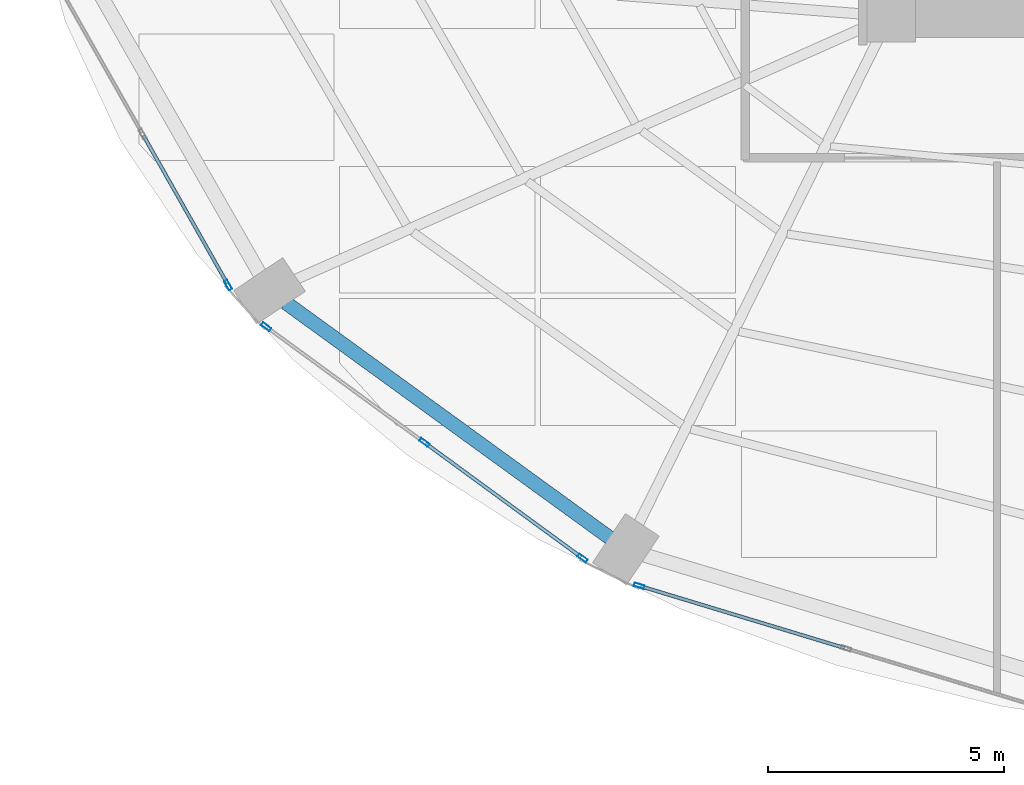
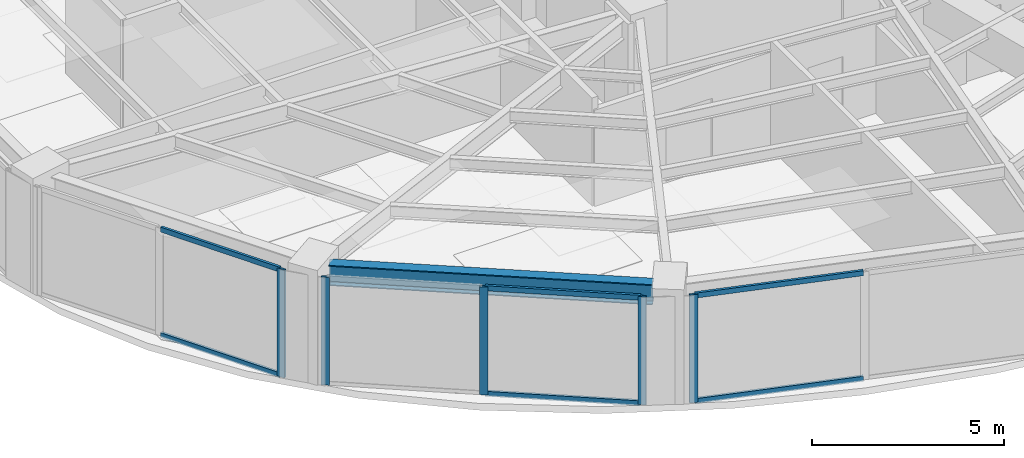
# One storey, part 2 of 24: 11 members, 1 beam, 3 elements without a shape of their own.
"""IFC4 building model written with IfcOpenShell, lengths in metres."""

import ifcopenshell
import ifcopenshell.guid

model = None  # the IFC model being written
_history = None  # IfcOwnerHistory: only IFC2X3 demands one
_inside = {}  # id of a spatial element -> (the spatial element, [elements in it])
_under = {}  # id of a project, library or spatial element -> (it, [spatial elements below it])
_declared = {}  # id of a project -> (the project, [libraries it declares])
_typed = {}  # id of a type object -> (the type object, [elements of that type])
_made_of = {}  # id of a material, layer set ... -> (it, [elements and type objects made of it])


def new_model(schema):
    """Start an empty IFC model of exactly this schema.

    Asked for "IFC4X3", IfcOpenShell would pick the latest addendum, in which some entities
    have other attributes; the version numbers below select the first issue.
    IFC2X3 requires an IfcOwnerHistory on every rooted entity: one is made here for all.
    """
    global model, _history
    if schema == "IFC4X3":
        model = ifcopenshell.file(schema_version=(4, 3, 0, 0))
    else:
        model = ifcopenshell.file(schema=schema)
    _inside.clear()
    _under.clear()
    _declared.clear()
    _typed.clear()
    _made_of.clear()
    _history = None
    if model.schema == "IFC2X3":
        org = make("IfcOrganization", Name="unknown")
        user = make(
            "IfcPersonAndOrganization",
            ThePerson=make("IfcPerson", FamilyName="unknown"),
            TheOrganization=org,
        )
        app = make(
            "IfcApplication",
            ApplicationDeveloper=org,
            Version="unknown",
            ApplicationFullName="unknown",
            ApplicationIdentifier="unknown",
        )
        _history = make(
            "IfcOwnerHistory",
            OwningUser=user,
            OwningApplication=app,
            ChangeAction="ADDED",
            CreationDate=0,
        )
    return model


def make(cls, **values):
    """One entity of the class cls with the attributes given. An attribute that is None is left unset."""
    return model.create_entity(
        cls, **{name: value for name, value in values.items() if value is not None}
    )


def rooted(cls, **values):
    """An entity with a GlobalId (a new one), such as an element, a storey or a relation."""
    return make(cls, GlobalId=ifcopenshell.guid.new(), OwnerHistory=_history, **values)


def si_unit(unit_type, name, prefix=None):
    """IfcSIUnit, for example si_unit("LENGTHUNIT", "METRE", prefix="MILLI")."""
    return make("IfcSIUnit", UnitType=unit_type, Prefix=prefix, Name=name)


def assignment(units):
    """IfcUnitAssignment: the units of a project."""
    return None if units is None else make("IfcUnitAssignment", Units=units)


def point(xyz):
    """IfcCartesianPoint."""
    return None if xyz is None else make("IfcCartesianPoint", Coordinates=xyz)


def direction(xyz):
    """IfcDirection."""
    return None if xyz is None else make("IfcDirection", DirectionRatios=xyz)


def frame(location, z_axis=None, x_axis=None):
    """IfcAxis2Placement3D, a coordinate frame: its origin and axes. An axis left out is left unset."""
    return make(
        "IfcAxis2Placement3D",
        Location=point(location),
        Axis=direction(z_axis),
        RefDirection=direction(x_axis),
    )


def frame_2d(location, x_axis=None):
    """IfcAxis2Placement2D, a coordinate frame in the plane: its origin and x axis."""
    return make(
        "IfcAxis2Placement2D", Location=point(location), RefDirection=direction(x_axis)
    )


def origin():
    """The frame at (0, 0, 0) with its axes left unset."""
    return frame((0.0, 0.0, 0.0))


def origin_2d():
    """The frame at (0, 0) in the plane with its x axis left unset."""
    return frame_2d((0.0, 0.0))


def place(relative_to, where):
    """IfcLocalPlacement: puts the frame where relative to a parent placement (None: the world)."""
    return make(
        "IfcLocalPlacement", PlacementRelTo=relative_to, RelativePlacement=where
    )


def context(
    kind, dimensions, precision=None, world=None, true_north=None, identifier=None
):
    """IfcGeometricRepresentationContext, for example the 3D "Model" context."""
    return make(
        "IfcGeometricRepresentationContext",
        ContextIdentifier=identifier,
        ContextType=kind,
        CoordinateSpaceDimension=dimensions,
        Precision=precision,
        WorldCoordinateSystem=world,
        TrueNorth=true_north,
    )


def subcontext(parent, identifier, kind, view, scale=None):
    """IfcGeometricRepresentationSubContext, for example "Body" below "Model"."""
    return make(
        "IfcGeometricRepresentationSubContext",
        ContextIdentifier=identifier,
        ContextType=kind,
        ParentContext=parent,
        TargetScale=scale,
        TargetView=view,
    )


def project(units=None, contexts=None):
    """IfcProject with its units and contexts."""
    return rooted(
        "IfcProject",
        Name="project",
        RepresentationContexts=contexts,
        UnitsInContext=assignment(units),
    )


def spatial(cls, under=None, at=None, **own):
    """A site, building, storey or space (cls), placed at a placement, below another one or the project."""
    s = rooted(cls, ObjectPlacement=at, **own)
    if under is not None:
        _under.setdefault(under.id(), (under, []))[1].append(s)
    return s


def profile(cls, at=None, kind="AREA", **sizes):
    """A parametric profile (cls). Its sizes go by their IFC names, for example OverallWidth=200.0."""
    return make(cls, ProfileType=kind, Position=at, **sizes)


def hollow_rectangle(**sizes):
    """IfcRectangleHollowProfileDef."""
    return profile("IfcRectangleHollowProfileDef", **sizes)


def i_section(**sizes):
    """IfcIShapeProfileDef."""
    return profile("IfcIShapeProfileDef", **sizes)


def extrude(swept, where, along, depth):
    """IfcExtrudedAreaSolid: the profile swept, set in the frame where, extruded along a direction by depth."""
    return make(
        "IfcExtrudedAreaSolid",
        SweptArea=swept,
        Position=where,
        ExtrudedDirection=direction(along),
        Depth=depth,
    )


def shape(context_of_items, identifier, shape_type, items):
    """IfcShapeRepresentation: the items that make up one representation, for example the "Body"."""
    return make(
        "IfcShapeRepresentation",
        ContextOfItems=context_of_items,
        RepresentationIdentifier=identifier,
        RepresentationType=shape_type,
        Items=items,
    )


def material(Name=None, Category=None):
    """IfcMaterial."""
    return make("IfcMaterial", Name=Name, Category=Category)


def layer(
    of_material, thickness, ventilated=None, Name=None, Category=None, Priority=None
):
    """IfcMaterialLayer: one layer of a wall or slab, of a material (None: an air gap)."""
    return make(
        "IfcMaterialLayer",
        Material=of_material,
        LayerThickness=thickness,
        IsVentilated=ventilated,
        Name=Name,
        Category=Category,
        Priority=Priority,
    )


def layer_set(layers, Name=None):
    """IfcMaterialLayerSet."""
    return make("IfcMaterialLayerSet", MaterialLayers=layers, LayerSetName=Name)


def material_profile(
    of_material, cross_section, Name=None, Category=None, Priority=None
):
    """IfcMaterialProfile: a cross section and its material."""
    return make(
        "IfcMaterialProfile",
        Name=Name,
        Material=of_material,
        Profile=cross_section,
        Priority=Priority,
        Category=Category,
    )


def profile_set(profiles, Name=None, composite=None):
    """IfcMaterialProfileSet."""
    return make(
        "IfcMaterialProfileSet",
        Name=Name,
        MaterialProfiles=profiles,
        CompositeProfile=composite,
    )


def made_of(thing, what):
    """Note that an element or type object is made of a material, layer set ...; save() writes the relation."""
    if what is not None:
        _made_of.setdefault(what.id(), (what, []))[1].append(thing)
    return thing


def type_object(cls, material=None, **own):
    """A type object (cls), such as IfcWallType, which elements share."""
    return made_of(rooted(cls, **own), material)


def element(
    cls,
    number,
    at=None,
    inside=None,
    cuts=None,
    type_object=None,
    material=None,
    context=None,
    identifier="Body",
    shape_type=None,
    held_by="IfcProductDefinitionShape",
    body=None,
    shapes=None,
    **own,
):
    """One element of the class cls, such as IfcWall. Its Tag is "e" and its number.

    at: its placement. inside: the storey or other place that contains it. cuts: it is an
    opening in that element (IfcRelVoidsElement). A single representation is given by context,
    identifier, shape_type and body (its items); several are given by shapes. held_by: the class
    of the entity that holds the representations. save() writes the other relations.
    """
    e = rooted(cls, Tag="e%d" % number, ObjectPlacement=at, **own)
    if body is not None:
        shapes = [shape(context, identifier, shape_type, body)]
    if shapes is not None:
        e.Representation = make(held_by, Representations=shapes)
    if inside is not None:
        _inside.setdefault(inside.id(), (inside, []))[1].append(e)
    if cuts is not None:
        rooted(
            "IfcRelVoidsElement", RelatingBuildingElement=cuts, RelatedOpeningElement=e
        )
    if type_object is not None:
        _typed.setdefault(type_object.id(), (type_object, []))[1].append(e)
    return made_of(e, material)


def aggregate(whole, parts):
    """IfcRelAggregates: a whole, such as a stair, and the parts it consists of."""
    return rooted("IfcRelAggregates", RelatingObject=whole, RelatedObjects=parts)


def save(model, path):
    """Write the relations noted so far, then the file.

    IfcRelAggregates (storeys below a building ...), IfcRelContainedInSpatialStructure (elements
    in a storey), IfcRelDefinesByType, IfcRelAssociatesMaterial and IfcRelDeclares: one each for
    every whole, place, type object, material and project.
    """
    for whole, parts in _under.values():
        aggregate(whole, parts)
    for where, things in _inside.values():
        rooted(
            "IfcRelContainedInSpatialStructure",
            RelatedElements=things,
            RelatingStructure=where,
        )
    for kind, things in _typed.values():
        rooted("IfcRelDefinesByType", RelatedObjects=things, RelatingType=kind)
    for what, things in _made_of.values():
        rooted("IfcRelAssociatesMaterial", RelatedObjects=things, RelatingMaterial=what)
    for by, libraries in _declared.values():
        rooted("IfcRelDeclares", RelatingContext=by, RelatedDefinitions=libraries)
    model.write(path)


model = new_model("IFC4")

# Units and contexts
model_context = context("Model", 3, precision=1e-05, world=origin(), true_north=direction((0.0, 1.0)))
body_context = subcontext(model_context, "Body", "Model", "MODEL_VIEW")
ifc_project = project(units=[si_unit("LENGTHUNIT", "METRE"), si_unit("AREAUNIT", "SQUARE_METRE"), si_unit("VOLUMEUNIT", "CUBIC_METRE"), si_unit("PLANEANGLEUNIT", "RADIAN"), si_unit("MASSUNIT", "GRAM", prefix="KILO")], contexts=[model_context])

# Site, building, storey
site_placement = place(None, origin())
site = spatial("IfcSite", under=ifc_project, at=site_placement, CompositionType="ELEMENT")
building_placement = place(site_placement, origin())
building = spatial("IfcBuilding", under=site, at=building_placement, Name="Lazwardi Medical Tower", CompositionType="ELEMENT")
storey_placement = place(building_placement, frame((0.0, 0.0, 58.031982421875)))
storey = spatial("IfcBuildingStorey", under=building, at=storey_placement, Name="L14", CompositionType="ELEMENT", Elevation=58.031982421875)

# Beam
ifc_material_1 = material(Name="Steel S355", Category="steel")
ifc_material_profile_1 = material_profile(ifc_material_1, i_section(OverallWidth=0.300048828125, OverallDepth=0.64990234375, WebThickness=0.01611328125, FlangeThickness=0.031005859375, at=origin_2d()), Name="HEB 650")
ifc_profile_set_1 = profile_set([ifc_material_profile_1], Name="Steel S355")
beam_type = type_object("IfcBeamType", Name="BM-RB-Z1", PredefinedType="BEAM", material=ifc_profile_set_1)
beam_placement = place(storey_placement, frame((13.6201171875, 14.339111328125, 3.10302734375), z_axis=(0.809407079515, -0.587247971159, 0.0), x_axis=(0.587247971159, 0.809407079515, 0.0)))
element("IfcBeam", 1, at=beam_placement, inside=storey, type_object=beam_type, Name="Ring beam RB-02 B14 L14", PredefinedType="BEAM", context=body_context, shape_type="SweptSolid", body=[
    extrude(i_section(OverallWidth=0.300048828125, OverallDepth=0.64990234375, WebThickness=0.01611328125, FlangeThickness=0.031005859375, at=origin_2d()), origin(), (0.0, 0.0, 1.0), 8.473876953125),
])

# Curtain wall, member
ifc_material_2 = material(Name="Anodised bronze aluminium and solar control glazing", Category="aluminium")
ifc_layer = layer(ifc_material_2, 0.199951171875)
ifc_layer_set = layer_set([ifc_layer], Name="Anodised bronze aluminium and solar control glazing")
curtain_wall_type = type_object("IfcCurtainWallType", Name="CW-SYS-02", PredefinedType="NOTDEFINED", material=ifc_layer_set)
curtain_wall_1_placement = place(storey_placement, origin())
curtain_wall_1 = element("IfcCurtainWall", 2, at=curtain_wall_1_placement, inside=storey, type_object=curtain_wall_type, Name="L14 Unitised bronze curtain wall CW-02", PredefinedType="NOTDEFINED")
ifc_material_3 = material(Name="Anodised bronze aluminium", Category="aluminium")
ifc_material_profile_2 = material_profile(ifc_material_3, hollow_rectangle(XDim=0.074951171875, YDim=0.219970703125, WallThickness=0.00390625, at=origin_2d()), Name="ALU-MULLION 220x75x4")
ifc_profile_set_2 = profile_set([ifc_material_profile_2], Name="Anodised bronze aluminium")
member_type_1 = type_object("IfcMemberType", Name="CW-MUL-01", PredefinedType="MULLION", material=ifc_profile_set_2)
member_1_placement = place(storey_placement, frame((12.4033203125, 14.71142578125, 0.0), z_axis=(0.0, 0.0, 1.0), x_axis=(0.870111838823, 0.492854327303, 0.0)))
member_1 = element("IfcMember", 3, at=member_1_placement, type_object=member_type_1, Name="CW-02 mullion 3", PredefinedType="MULLION", context=body_context, shape_type="SweptSolid", body=[
    extrude(hollow_rectangle(XDim=0.074951171875, YDim=0.219970703125, WallThickness=0.00390625, at=origin_2d()), origin(), (0.0, 0.0, 1.0), 3.427978515625),
])

# Curtain wall, members
curtain_wall_2_placement = place(storey_placement, origin())
curtain_wall_2 = element("IfcCurtainWall", 4, at=curtain_wall_2_placement, inside=storey, type_object=curtain_wall_type, Name="L14 Unitised bronze curtain wall CW-02", PredefinedType="NOTDEFINED")
member_2_placement = place(storey_placement, frame((13.209716796875, 13.827392578125, 0.0), z_axis=(0.0, 0.0, 1.0), x_axis=(0.590289307341, 0.807191757663, 0.0)))
member_2 = element("IfcMember", 5, at=member_2_placement, type_object=member_type_1, Name="CW-02 mullion 1", PredefinedType="MULLION", context=body_context, shape_type="SweptSolid", body=[
    extrude(hollow_rectangle(XDim=0.074951171875, YDim=0.219970703125, WallThickness=0.00390625, at=origin_2d()), origin(), (0.0, 0.0, 1.0), 3.427978515625),
])
member_3_placement = place(storey_placement, frame((16.5556640625, 11.380615234375, 0.0), z_axis=(0.0, 0.0, 1.0), x_axis=(0.590289307341, 0.807191757663, 0.0)))
member_3 = element("IfcMember", 6, at=member_3_placement, type_object=member_type_1, Name="CW-02 mullion 2", PredefinedType="MULLION", context=body_context, shape_type="SweptSolid", body=[
    extrude(hollow_rectangle(XDim=0.074951171875, YDim=0.219970703125, WallThickness=0.00390625, at=origin_2d()), origin(), (0.0, 0.0, 1.0), 3.427978515625),
])
member_4_placement = place(storey_placement, frame((19.9013671875, 8.933837890625, 0.0), z_axis=(0.0, 0.0, 1.0), x_axis=(0.590289307341, 0.807191757663, 0.0)))
member_4 = element("IfcMember", 7, at=member_4_placement, type_object=member_type_1, Name="CW-02 mullion 3", PredefinedType="MULLION", context=body_context, shape_type="SweptSolid", body=[
    extrude(hollow_rectangle(XDim=0.074951171875, YDim=0.219970703125, WallThickness=0.00390625, at=origin_2d()), origin(), (0.0, 0.0, 1.0), 3.427978515625),
])

# Curtain wall, member
curtain_wall_3_placement = place(storey_placement, origin())
curtain_wall_3 = element("IfcCurtainWall", 8, at=curtain_wall_3_placement, inside=storey, type_object=curtain_wall_type, Name="L14 Unitised bronze curtain wall CW-02", PredefinedType="NOTDEFINED")
member_5_placement = place(storey_placement, frame((21.1015625, 8.346923828125, 0.0), z_axis=(0.0, 0.0, 1.0), x_axis=(0.2898956909, 0.957058247129, 0.0)))
member_5 = element("IfcMember", 9, at=member_5_placement, type_object=member_type_1, Name="CW-02 mullion 1", PredefinedType="MULLION", context=body_context, shape_type="SweptSolid", body=[
    extrude(hollow_rectangle(XDim=0.074951171875, YDim=0.219970703125, WallThickness=0.00390625, at=origin_2d()), origin(), (0.0, 0.0, 1.0), 3.427978515625),
])

# Member
ifc_material_profile_3 = material_profile(ifc_material_3, hollow_rectangle(XDim=0.074951171875, YDim=0.159912109375, WallThickness=0.00390625, at=origin_2d()), Name="ALU-TRANSOM 160x75x4")
ifc_profile_set_3 = profile_set([ifc_material_profile_3], Name="Anodised bronze aluminium")
member_type_2 = type_object("IfcMemberType", Name="CW-TRN-01", PredefinedType="USERDEFINED", material=ifc_profile_set_3)
member_6_placement = place(storey_placement, frame((10.613037109375, 17.871826171875, 0.03759765625), z_axis=(0.492880614687, -0.870096948429, 0.0), x_axis=(0.870096948429, 0.492880614687, 0.0)))
member_6 = element("IfcMember", 10, at=member_6_placement, type_object=member_type_2, Name="CW-02 transom 2.1", ObjectType="TRANSOM", PredefinedType="USERDEFINED", context=body_context, shape_type="SweptSolid", body=[
    extrude(hollow_rectangle(XDim=0.074951171875, YDim=0.159912109375, WallThickness=0.00390625, at=origin_2d()), origin(), (0.0, 0.0, 1.0), 3.5947265625),
])

member_7_placement = place(storey_placement, frame((10.613037109375, 17.871826171875, 3.390625), z_axis=(0.492880614687, -0.870096948429, 0.0), x_axis=(0.870096948429, 0.492880614687, 0.0)))
member_7 = element("IfcMember", 11, at=member_7_placement, type_object=member_type_2, Name="CW-02 transom 2.2", ObjectType="TRANSOM", PredefinedType="USERDEFINED", context=body_context, shape_type="SweptSolid", body=[
    extrude(hollow_rectangle(XDim=0.074951171875, YDim=0.159912109375, WallThickness=0.00390625, at=origin_2d()), origin(), (0.0, 0.0, 1.0), 3.5947265625),
])

aggregate(curtain_wall_1, [member_1, member_6, member_7])

member_8_placement = place(storey_placement, frame((16.5859375, 11.358642578125, 0.03759765625), z_axis=(0.807169053975, -0.590320352271, 0.0), x_axis=(0.590320352271, 0.807169053975, 0.0)))
member_8 = element("IfcMember", 12, at=member_8_placement, type_object=member_type_2, Name="CW-02 transom 2.1", ObjectType="TRANSOM", PredefinedType="USERDEFINED", context=body_context, shape_type="SweptSolid", body=[
    extrude(hollow_rectangle(XDim=0.074951171875, YDim=0.159912109375, WallThickness=0.00390625, at=origin_2d()), origin(), (0.0, 0.0, 1.0), 4.070068359375),
])

member_9_placement = place(storey_placement, frame((16.5859375, 11.358642578125, 3.390625), z_axis=(0.807169053975, -0.590320352271, 0.0), x_axis=(0.590320352271, 0.807169053975, 0.0)))
member_9 = element("IfcMember", 13, at=member_9_placement, type_object=member_type_2, Name="CW-02 transom 2.2", ObjectType="TRANSOM", PredefinedType="USERDEFINED", context=body_context, shape_type="SweptSolid", body=[
    extrude(hollow_rectangle(XDim=0.074951171875, YDim=0.159912109375, WallThickness=0.00390625, at=origin_2d()), origin(), (0.0, 0.0, 1.0), 4.070068359375),
])

aggregate(curtain_wall_2, [member_2, member_3, member_4, member_8, member_9])

member_10_placement = place(storey_placement, frame((21.137451171875, 8.3359375, 0.03759765625), z_axis=(0.957062297904, -0.289882317383, 0.0), x_axis=(0.289882317383, 0.957062297904, 0.0)))
member_10 = element("IfcMember", 14, at=member_10_placement, type_object=member_type_2, Name="CW-02 transom 1.1", ObjectType="TRANSOM", PredefinedType="USERDEFINED", context=body_context, shape_type="SweptSolid", body=[
    extrude(hollow_rectangle(XDim=0.074951171875, YDim=0.159912109375, WallThickness=0.00390625, at=origin_2d()), origin(), (0.0, 0.0, 1.0), 4.49658203125),
])

member_11_placement = place(storey_placement, frame((21.137451171875, 8.3359375, 3.390625), z_axis=(0.957062297904, -0.289882317383, 0.0), x_axis=(0.289882317383, 0.957062297904, 0.0)))
member_11 = element("IfcMember", 15, at=member_11_placement, type_object=member_type_2, Name="CW-02 transom 1.2", ObjectType="TRANSOM", PredefinedType="USERDEFINED", context=body_context, shape_type="SweptSolid", body=[
    extrude(hollow_rectangle(XDim=0.074951171875, YDim=0.159912109375, WallThickness=0.00390625, at=origin_2d()), origin(), (0.0, 0.0, 1.0), 4.49658203125),
])

aggregate(curtain_wall_3, [member_5, member_10, member_11])

save(model, "model.ifc")
